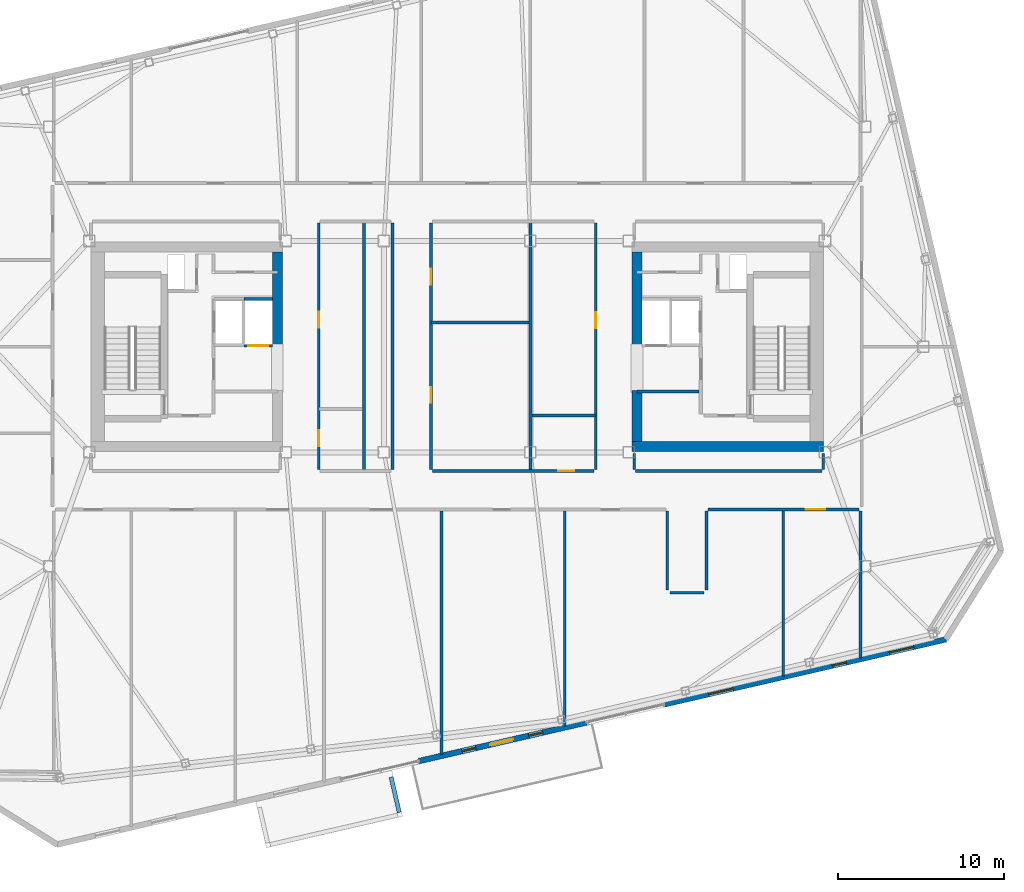
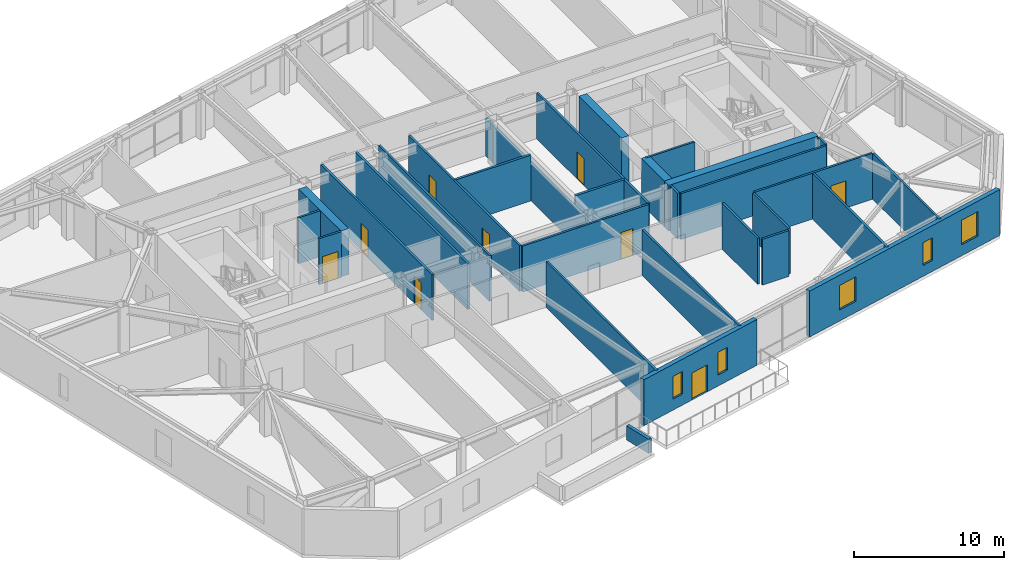
# One storey, part 16 of 23: 30 walls, 9 doors, 5 windows, 14 openings.
"""IFC4 building model written with IfcOpenShell, lengths in metres."""

from ifc_helpers import new_model, si_unit, direction, frame, frame_2d, origin, place, context, subcontext, project, spatial, rectangle, extrude, material, layer, layer_set, type_object, element, fill, save


model = new_model("IFC4")

# Units and contexts
model_context = context("Model", 3, precision=1e-05, world=origin(), true_north=direction((0.0, 1.0)))
body_context = subcontext(model_context, "Body", "Model", "MODEL_VIEW")
ifc_project = project(units=[si_unit("LENGTHUNIT", "METRE"), si_unit("AREAUNIT", "SQUARE_METRE"), si_unit("VOLUMEUNIT", "CUBIC_METRE"), si_unit("PLANEANGLEUNIT", "RADIAN"), si_unit("MASSUNIT", "GRAM", prefix="KILO")], contexts=[model_context])

# Site, building, storey
site_placement = place(None, origin())
site = spatial("IfcSite", under=ifc_project, at=site_placement, CompositionType="ELEMENT")
building_placement = place(site_placement, origin())
building = spatial("IfcBuilding", under=site, at=building_placement, Name="Tavrogorsk Clinical Tower", CompositionType="ELEMENT")
storey_placement = place(building_placement, frame((0.0, 0.0, 289.0)))
storey = spatial("IfcBuildingStorey", under=building, at=storey_placement, Name="L67", CompositionType="ELEMENT", Elevation=289.0)

# Wall
ifc_material_1 = material(Name="Lightweight concrete blockwork B15", Category="masonry")
ifc_layer_1 = layer(ifc_material_1, 0.159912109375)
ifc_layer_set_1 = layer_set([ifc_layer_1], Name="Lightweight concrete blockwork B15")
wall_type_1 = type_object("IfcWallType", Name="PartitionWall_160", PredefinedType="PARTITIONING", material=ifc_layer_set_1)
wall_1_placement = place(storey_placement, frame((10.800048828125, -2.699951171875, 0.0), z_axis=(0.0, 0.0, 1.0), x_axis=(1.0, 0.0, 0.0)))
element("IfcWall", 1, at=wall_1_placement, inside=storey, type_object=wall_type_1, Name="L67 Core East Freed Mid-Bank North Partition", PredefinedType="PARTITIONING", context=body_context, shape_type="SweptSolid", body=[
    extrude(rectangle(XDim=3.73486328125, YDim=0.159912109375, at=frame_2d((1.867431640625, 0.0))), origin(), (0.0, 0.0, 1.0), 3.739990234375),
])

# Wall, opening, door
wall_2_placement = place(storey_placement, frame((24.14501953125, -9.780029296875, 0.0), z_axis=(0.0, 0.0, 1.0), x_axis=(-1.0, 0.0, 0.0)))
wall_2 = element("IfcWall", 2, at=wall_2_placement, inside=storey, type_object=wall_type_1, Name="L67 Corridor Partition 04", PredefinedType="PARTITIONING", context=body_context, shape_type="SweptSolid", body=[
    extrude(rectangle(XDim=9.080078125, YDim=0.159912109375, at=frame_2d((4.5400390625, 0.0))), origin(), (0.0, 0.0, 1.0), 3.739990234375),
])
opening_1_placement = place(wall_2_placement, frame((2.044189453125, 0.0, 0.0)))
opening_1 = element("IfcOpeningElement", 3, at=opening_1_placement, cuts=wall_2, Name="Opening ID-06", PredefinedType="OPENING", context=body_context, shape_type="SweptSolid", body=[
    extrude(rectangle(XDim=1.14990234375, YDim=2.199951171875, at=frame_2d((0.574951171875, 1.10009765625))), frame((0.0, 0.08984375, 0.0), z_axis=(0.0, -1.0, 0.0), x_axis=(1.0, 0.0, 0.0)), (0.0, 0.0, 1.0), 0.179931640625),
])
ifc_material_2 = material(Name="Antibacterial HPL procedure door on aluminium frame", Category="aluminium")
door_type_1 = type_object("IfcDoorType", Name="LabDoor_ID06_1150", OperationType="NOTDEFINED", PredefinedType="DOOR", material=ifc_material_2)
door_1_placement = place(opening_1_placement, origin())
door_1 = element("IfcDoor", 4, at=door_1_placement, inside=storey, type_object=door_type_1, Name="L67 South Staff Rest & Nourishment Lounge 06 Door", OperationType="SINGLE_SWING_RIGHT", OverallHeight=2.199951171875, OverallWidth=1.14990234375, PredefinedType="DOOR", context=body_context, shape_type="SweptSolid", body=[
    extrude(rectangle(XDim=1.14990234375, YDim=2.199951171875, at=frame_2d((0.574951171875, 1.10009765625))), frame((0.0, 0.02490234375, 0.0), z_axis=(0.0, -1.0, 0.0), x_axis=(1.0, 0.0, 0.0)), (0.0, 0.0, 1.0), 0.050048828125),
])
fill(opening_1, door_1)

# Walls
wall_3_placement = place(storey_placement, frame((14.97998046875, -9.864990234375, 0.0), z_axis=(0.0, 0.0, 1.0), x_axis=(0.0, -1.0, 0.0)))
element("IfcWall", 5, at=wall_3_placement, inside=storey, type_object=wall_type_1, Name="L67 Corridor Partition 05", PredefinedType="PARTITIONING", context=body_context, shape_type="SweptSolid", body=[
    extrude(rectangle(XDim=4.75, YDim=0.159912109375, at=frame_2d((2.375, 0.0))), origin(), (0.0, 0.0, 1.0), 3.739990234375),
])
wall_4_placement = place(storey_placement, frame((14.81494140625, -14.780029296875, 0.0), z_axis=(0.0, 0.0, 1.0), x_axis=(-1.0, 0.0, 0.0)))
element("IfcWall", 6, at=wall_4_placement, inside=storey, type_object=wall_type_1, Name="L67 Corridor Partition 06", PredefinedType="PARTITIONING", context=body_context, shape_type="SweptSolid", body=[
    extrude(rectangle(XDim=2.030029296875, YDim=0.159912109375, at=frame_2d((1.01513671875, 0.0))), origin(), (0.0, 0.0, 1.0), 3.739990234375),
])
wall_5_placement = place(storey_placement, frame((12.6201171875, -14.614990234375, 0.0), z_axis=(0.0, 0.0, 1.0), x_axis=(0.0, 1.0, 0.0)))
element("IfcWall", 7, at=wall_5_placement, inside=storey, type_object=wall_type_1, Name="L67 Corridor Partition 07", PredefinedType="PARTITIONING", context=body_context, shape_type="SweptSolid", body=[
    extrude(rectangle(XDim=4.75, YDim=0.159912109375, at=frame_2d((2.375, 0.0))), origin(), (0.0, 0.0, 1.0), 3.739990234375),
])
wall_6_placement = place(storey_placement, frame((10.6298828125, -6.419921875, 0.0), z_axis=(0.0, 0.0, 1.0), x_axis=(0.0, -1.0, 0.0)))
element("IfcWall", 8, at=wall_6_placement, inside=storey, type_object=wall_type_1, Name="L67 Corridor Partition 11", PredefinedType="PARTITIONING", context=body_context, shape_type="SweptSolid", body=[
    extrude(rectangle(XDim=0.965087890625, YDim=0.159912109375, at=frame_2d((0.482421875, 0.0))), origin(), (0.0, 0.0, 1.0), 3.739990234375),
])
wall_7_placement = place(storey_placement, frame((10.715087890625, -7.469970703125, 0.0), z_axis=(0.0, 0.0, 1.0), x_axis=(1.0, 0.0, 0.0)))
element("IfcWall", 9, at=wall_7_placement, inside=storey, type_object=wall_type_1, Name="L67 Corridor Partition 12", PredefinedType="PARTITIONING", context=body_context, shape_type="SweptSolid", body=[
    extrude(rectangle(XDim=11.199951171875, YDim=0.159912109375, at=frame_2d((5.60009765625, 0.0))), origin(), (0.0, 0.0, 1.0), 3.739990234375),
])
wall_8_placement = place(storey_placement, frame((22.0, -7.385009765625, 0.0), z_axis=(0.0, 0.0, 1.0), x_axis=(0.0, 1.0, 0.0)))
element("IfcWall", 10, at=wall_8_placement, inside=storey, type_object=wall_type_1, Name="L67 Corridor Partition 13", PredefinedType="PARTITIONING", context=body_context, shape_type="SweptSolid", body=[
    extrude(rectangle(XDim=0.965087890625, YDim=0.159912109375, at=frame_2d((0.482421875, 0.0))), origin(), (0.0, 0.0, 1.0), 3.739990234375),
])

# Wall, openings, doors
wall_9_placement = place(storey_placement, frame((-1.570068359375, 7.43505859375, 0.0), z_axis=(0.0, 0.0, 1.0), x_axis=(0.0, -1.0, 0.0)))
wall_9 = element("IfcWall", 11, at=wall_9_placement, inside=storey, type_object=wall_type_1, Name="L67 Corridor Partition 16", PredefinedType="PARTITIONING", context=body_context, shape_type="SweptSolid", body=[
    extrude(rectangle(XDim=14.820068359375, YDim=0.159912109375, at=frame_2d((7.41015625, 0.0))), origin(), (0.0, 0.0, 1.0), 3.739990234375),
])
opening_2_placement = place(wall_9_placement, frame((9.86083984375, 0.0, 0.0)))
opening_2 = element("IfcOpeningElement", 12, at=opening_2_placement, cuts=wall_9, Name="Opening ID-02", PredefinedType="OPENING", context=body_context, shape_type="SweptSolid", body=[
    extrude(rectangle(XDim=0.949951171875, YDim=2.199951171875, at=frame_2d((0.47509765625, 1.10009765625))), frame((0.0, 0.08984375, 0.0), z_axis=(0.0, -1.0, 0.0), x_axis=(1.0, 0.0, 0.0)), (0.0, 0.0, 1.0), 0.179931640625),
])
opening_3_placement = place(wall_9_placement, frame((2.754150390625, 0.0, 0.0)))
opening_3 = element("IfcOpeningElement", 13, at=opening_3_placement, cuts=wall_9, Name="Opening ID-02", PredefinedType="OPENING", context=body_context, shape_type="SweptSolid", body=[
    extrude(rectangle(XDim=0.949951171875, YDim=2.199951171875, at=frame_2d((0.47509765625, 1.10009765625))), frame((0.0, 0.08984375, 0.0), z_axis=(0.0, -1.0, 0.0), x_axis=(1.0, 0.0, 0.0)), (0.0, 0.0, 1.0), 0.179931640625),
])
ifc_material_3 = material(Name="Laminated timber leaf on aluminium frame", Category="wood")
door_type_2 = type_object("IfcDoorType", Name="InteriorDoor_ID02_950", OperationType="NOTDEFINED", PredefinedType="DOOR", material=ifc_material_3)
door_2_placement = place(opening_2_placement, origin())
door_2 = element("IfcDoor", 14, at=door_2_placement, inside=storey, type_object=door_type_2, Name="L67 Multidisciplinary Conference Room Door", OperationType="SINGLE_SWING_LEFT", OverallHeight=2.199951171875, OverallWidth=0.949951171875, PredefinedType="DOOR", context=body_context, shape_type="SweptSolid", body=[
    extrude(rectangle(XDim=0.949951171875, YDim=2.199951171875, at=frame_2d((0.47509765625, 1.10009765625))), frame((0.0, 0.02490234375, 0.0), z_axis=(0.0, -1.0, 0.0), x_axis=(1.0, 0.0, 0.0)), (0.0, 0.0, 1.0), 0.050048828125),
])
fill(opening_2, door_2)
door_3_placement = place(opening_3_placement, origin())
door_3 = element("IfcDoor", 15, at=door_3_placement, inside=storey, type_object=door_type_2, Name="L67 Nurses' Station & Triage Hub Door", OperationType="SINGLE_SWING_RIGHT", OverallHeight=2.199951171875, OverallWidth=0.949951171875, PredefinedType="DOOR", context=body_context, shape_type="SweptSolid", body=[
    extrude(rectangle(XDim=0.949951171875, YDim=2.199951171875, at=frame_2d((0.47509765625, 1.10009765625))), frame((0.0, 0.02490234375, 0.0), z_axis=(0.0, -1.0, 0.0), x_axis=(1.0, 0.0, 0.0)), (0.0, 0.0, 1.0), 0.050048828125),
])
fill(opening_3, door_3)

# Wall, opening, door
wall_10_placement = place(storey_placement, frame((-1.485107421875, -7.469970703125, 0.0), z_axis=(0.0, 0.0, 1.0), x_axis=(1.0, 0.0, 0.0)))
wall_10 = element("IfcWall", 16, at=wall_10_placement, inside=storey, type_object=wall_type_1, Name="L67 Corridor Partition 17", PredefinedType="PARTITIONING", context=body_context, shape_type="SweptSolid", body=[
    extrude(rectangle(XDim=9.72021484375, YDim=0.159912109375, at=frame_2d((4.860107421875, 0.0))), origin(), (0.0, 0.0, 1.0), 3.739990234375),
])
opening_4_placement = place(wall_10_placement, frame((7.560791015625, 0.0, 0.0)))
opening_4 = element("IfcOpeningElement", 17, at=opening_4_placement, cuts=wall_10, Name="Opening ID-02", PredefinedType="OPENING", context=body_context, shape_type="SweptSolid", body=[
    extrude(rectangle(XDim=0.949951171875, YDim=2.199951171875, at=frame_2d((0.47509765625, 1.10009765625))), frame((0.0, 0.08984375, 0.0), z_axis=(0.0, -1.0, 0.0), x_axis=(1.0, 0.0, 0.0)), (0.0, 0.0, 1.0), 0.179931640625),
])
door_4_placement = place(opening_4_placement, origin())
door_4 = element("IfcDoor", 18, at=door_4_placement, inside=storey, type_object=door_type_2, Name="L67 Staff & Visitor Accessible WC Door", OperationType="SINGLE_SWING_LEFT", OverallHeight=2.199951171875, OverallWidth=0.949951171875, PredefinedType="DOOR", context=body_context, shape_type="SweptSolid", body=[
    extrude(rectangle(XDim=0.949951171875, YDim=2.199951171875, at=frame_2d((0.47509765625, 1.10009765625))), frame((0.0, 0.02490234375, 0.0), z_axis=(0.0, -1.0, 0.0), x_axis=(1.0, 0.0, 0.0)), (0.0, 0.0, 1.0), 0.050048828125),
])
fill(opening_4, door_4)

wall_11_placement = place(storey_placement, frame((8.320068359375, -7.385009765625, 0.0), z_axis=(0.0, 0.0, 1.0), x_axis=(0.0, 1.0, 0.0)))
wall_11 = element("IfcWall", 19, at=wall_11_placement, inside=storey, type_object=wall_type_1, Name="L67 Corridor Partition 18", PredefinedType="PARTITIONING", context=body_context, shape_type="SweptSolid", body=[
    extrude(rectangle(XDim=14.820068359375, YDim=0.159912109375, at=frame_2d((7.41015625, 0.0))), origin(), (0.0, 0.0, 1.0), 3.739990234375),
])
opening_5_placement = place(wall_11_placement, frame((8.48583984375, 0.0, 0.0)))
opening_5 = element("IfcOpeningElement", 20, at=opening_5_placement, cuts=wall_11, Name="Opening ID-02", PredefinedType="OPENING", context=body_context, shape_type="SweptSolid", body=[
    extrude(rectangle(XDim=0.949951171875, YDim=2.199951171875, at=frame_2d((0.47509765625, 1.10009765625))), frame((0.0, 0.08984375, 0.0), z_axis=(0.0, -1.0, 0.0), x_axis=(1.0, 0.0, 0.0)), (0.0, 0.0, 1.0), 0.179931640625),
])
door_5_placement = place(opening_5_placement, origin())
door_5 = element("IfcDoor", 21, at=door_5_placement, inside=storey, type_object=door_type_2, Name="L67 Attending Physician Office Door", OperationType="SINGLE_SWING_RIGHT", OverallHeight=2.199951171875, OverallWidth=0.949951171875, PredefinedType="DOOR", context=body_context, shape_type="SweptSolid", body=[
    extrude(rectangle(XDim=0.949951171875, YDim=2.199951171875, at=frame_2d((0.47509765625, 1.10009765625))), frame((0.0, 0.02490234375, 0.0), z_axis=(0.0, -1.0, 0.0), x_axis=(1.0, 0.0, 0.0)), (0.0, 0.0, 1.0), 0.050048828125),
])
fill(opening_5, door_5)

# Wall
wall_12_placement = place(storey_placement, frame((-3.8798828125, -7.385009765625, 0.0), z_axis=(0.0, 0.0, 1.0), x_axis=(0.0, 1.0, 0.0)))
element("IfcWall", 22, at=wall_12_placement, inside=storey, type_object=wall_type_1, Name="L67 Corridor Partition 19", PredefinedType="PARTITIONING", context=body_context, shape_type="SweptSolid", body=[
    extrude(rectangle(XDim=14.820068359375, YDim=0.159912109375, at=frame_2d((7.41015625, 0.0))), origin(), (0.0, 0.0, 1.0), 3.739990234375),
])

# Wall, openings, doors
wall_13_placement = place(storey_placement, frame((-8.320068359375, 7.43505859375, 0.0), z_axis=(0.0, 0.0, 1.0), x_axis=(0.0, -1.0, 0.0)))
wall_13 = element("IfcWall", 23, at=wall_13_placement, inside=storey, type_object=wall_type_1, Name="L67 Corridor Partition 21", PredefinedType="PARTITIONING", context=body_context, shape_type="SweptSolid", body=[
    extrude(rectangle(XDim=14.820068359375, YDim=0.159912109375, at=frame_2d((7.41015625, 0.0))), origin(), (0.0, 0.0, 1.0), 3.739990234375),
])
opening_6_placement = place(wall_13_placement, frame((12.4609375, 0.0, 0.0)))
opening_6 = element("IfcOpeningElement", 24, at=opening_6_placement, cuts=wall_13, Name="Opening ID-02", PredefinedType="OPENING", context=body_context, shape_type="SweptSolid", body=[
    extrude(rectangle(XDim=0.949951171875, YDim=2.199951171875, at=frame_2d((0.47509765625, 1.10009765625))), frame((0.0, 0.08984375, 0.0), z_axis=(0.0, -1.0, 0.0), x_axis=(1.0, 0.0, 0.0)), (0.0, 0.0, 1.0), 0.179931640625),
])
opening_7_placement = place(wall_13_placement, frame((5.35400390625, 0.0, 0.0)))
opening_7 = element("IfcOpeningElement", 25, at=opening_7_placement, cuts=wall_13, Name="Opening ID-02", PredefinedType="OPENING", context=body_context, shape_type="SweptSolid", body=[
    extrude(rectangle(XDim=0.949951171875, YDim=2.199951171875, at=frame_2d((0.47509765625, 1.10009765625))), frame((0.0, 0.08984375, 0.0), z_axis=(0.0, -1.0, 0.0), x_axis=(1.0, 0.0, 0.0)), (0.0, 0.0, 1.0), 0.179931640625),
])
door_6_placement = place(opening_6_placement, origin())
door_6 = element("IfcDoor", 26, at=door_6_placement, inside=storey, type_object=door_type_2, Name="L67 Accessible Patient Lavatory Door", OperationType="SINGLE_SWING_LEFT", OverallHeight=2.199951171875, OverallWidth=0.949951171875, PredefinedType="DOOR", context=body_context, shape_type="SweptSolid", body=[
    extrude(rectangle(XDim=0.949951171875, YDim=2.199951171875, at=frame_2d((0.47509765625, 1.10009765625))), frame((0.0, 0.02490234375, 0.0), z_axis=(0.0, -1.0, 0.0), x_axis=(1.0, 0.0, 0.0)), (0.0, 0.0, 1.0), 0.050048828125),
])
fill(opening_6, door_6)
door_7_placement = place(opening_7_placement, origin())
door_7 = element("IfcDoor", 27, at=door_7_placement, inside=storey, type_object=door_type_2, Name="L67 Ward Nourishment Pantry Door", OperationType="SINGLE_SWING_RIGHT", OverallHeight=2.199951171875, OverallWidth=0.949951171875, PredefinedType="DOOR", context=body_context, shape_type="SweptSolid", body=[
    extrude(rectangle(XDim=0.949951171875, YDim=2.199951171875, at=frame_2d((0.47509765625, 1.10009765625))), frame((0.0, 0.02490234375, 0.0), z_axis=(0.0, -1.0, 0.0), x_axis=(1.0, 0.0, 0.0)), (0.0, 0.0, 1.0), 0.050048828125),
])
fill(opening_7, door_7)

# Walls
wall_14_placement = place(storey_placement, frame((24.22998046875, -18.702880859375, 0.0), z_axis=(0.0, 0.0, 1.0), x_axis=(0.0, 1.0, 0.0)))
element("IfcWall", 28, at=wall_14_placement, inside=storey, type_object=wall_type_1, Name="L67 SE Wing Closure Partition", PredefinedType="PARTITIONING", context=body_context, shape_type="SweptSolid", body=[
    extrude(rectangle(XDim=8.837890625, YDim=0.159912109375, at=frame_2d((4.4189453125, 0.0))), origin(), (0.0, 0.0, 1.0), 3.739990234375),
])
wall_15_placement = place(storey_placement, frame((-0.93994140625, -24.513671875, 0.0), z_axis=(0.0, 0.0, 1.0), x_axis=(0.0, 1.0, 0.0)))
element("IfcWall", 29, at=wall_15_placement, inside=storey, type_object=wall_type_1, Name="L67 South Room Partition 3", PredefinedType="PARTITIONING", context=body_context, shape_type="SweptSolid", body=[
    extrude(rectangle(XDim=14.648681640625, YDim=0.159912109375, at=frame_2d((7.32421875, 0.0))), origin(), (0.0, 0.0, 1.0), 3.739990234375),
])
wall_16_placement = place(storey_placement, frame((6.4599609375, -22.805419921875, 0.0), z_axis=(0.0, 0.0, 1.0), x_axis=(0.0, 1.0, 0.0)))
element("IfcWall", 30, at=wall_16_placement, inside=storey, type_object=wall_type_1, Name="L67 South Room Partition 4", PredefinedType="PARTITIONING", context=body_context, shape_type="SweptSolid", body=[
    extrude(rectangle(XDim=12.9404296875, YDim=0.159912109375, at=frame_2d((6.47021484375, 0.0))), origin(), (0.0, 0.0, 1.0), 3.739990234375),
])
wall_17_placement = place(storey_placement, frame((19.580078125, -19.7763671875, 0.0), z_axis=(0.0, 0.0, 1.0), x_axis=(0.0, 1.0, 0.0)))
element("IfcWall", 31, at=wall_17_placement, inside=storey, type_object=wall_type_1, Name="L67 South Room Partition 5", PredefinedType="PARTITIONING", context=body_context, shape_type="SweptSolid", body=[
    extrude(rectangle(XDim=9.911376953125, YDim=0.159912109375, at=frame_2d((4.95556640625, 0.0))), origin(), (0.0, 0.0, 1.0), 3.739990234375),
])
ifc_material_4 = material(Name="Lightweight concrete blockwork B20", Category="masonry")
ifc_layer_2 = layer(ifc_material_4, 0.179931640625)
ifc_layer_set_2 = layer_set([ifc_layer_2], Name="Lightweight concrete blockwork B20")
wall_type_2 = type_object("IfcWallType", Name="PartitionWall_180", PredefinedType="PARTITIONING", material=ifc_layer_set_2)
wall_18_placement = place(storey_placement, frame((-5.60009765625, -7.465087890625, 0.0), z_axis=(0.0, 0.0, 1.0), x_axis=(0.0, 1.0, 0.0)))
element("IfcWall", 32, at=wall_18_placement, inside=storey, type_object=wall_type_2, Name="L67 Central Spine Partition 1", PredefinedType="PARTITIONING", context=body_context, shape_type="SweptSolid", body=[
    extrude(rectangle(XDim=14.97998046875, YDim=0.179931640625, at=frame_2d((7.489990234375, 0.0))), origin(), (0.0, 0.0, 1.0), 3.739990234375),
])
wall_19_placement = place(storey_placement, frame((4.39990234375, -7.465087890625, 0.0), z_axis=(0.0, 0.0, 1.0), x_axis=(0.0, 1.0, 0.0)))
element("IfcWall", 33, at=wall_19_placement, inside=storey, type_object=wall_type_2, Name="L67 Central Spine Partition 2", PredefinedType="PARTITIONING", context=body_context, shape_type="SweptSolid", body=[
    extrude(rectangle(XDim=14.97998046875, YDim=0.179931640625, at=frame_2d((7.489990234375, 0.0))), origin(), (0.0, 0.0, 1.0), 3.034912109375),
])
wall_20_placement = place(storey_placement, frame((-1.56494140625, 1.449951171875, 0.0), z_axis=(0.0, 0.0, 1.0), x_axis=(1.0, 0.0, 0.0)))
element("IfcWall", 34, at=wall_20_placement, inside=storey, type_object=wall_type_2, Name="L67 Central Spine Partition 3", PredefinedType="PARTITIONING", context=body_context, shape_type="SweptSolid", body=[
    extrude(rectangle(XDim=5.869873046875, YDim=0.179931640625, at=frame_2d((2.93505859375, 0.0))), origin(), (0.0, 0.0, 1.0), 3.739990234375),
])
wall_21_placement = place(storey_placement, frame((4.4951171875, -4.14990234375, 0.0), z_axis=(0.0, 0.0, 1.0), x_axis=(1.0, 0.0, 0.0)))
element("IfcWall", 35, at=wall_21_placement, inside=storey, type_object=wall_type_2, Name="L67 Central Spine Partition 5", PredefinedType="PARTITIONING", context=body_context, shape_type="SweptSolid", body=[
    extrude(rectangle(XDim=3.81982421875, YDim=0.179931640625, at=frame_2d((1.909912109375, 0.0))), origin(), (0.0, 0.0, 1.0), 3.739990234375),
])

# Wall, openings, windows, door
ifc_material_5 = material(Name="Precast concrete B45 with limestone cladding", Category="masonry")
ifc_layer_3 = layer(ifc_material_5, 0.340087890625)
ifc_layer_set_3 = layer_set([ifc_layer_3], Name="Precast concrete B45 with limestone cladding")
wall_type_3 = type_object("IfcWallType", Name="PrecastLimestoneWall_340", PredefinedType="STANDARD", material=ifc_layer_set_3)
wall_22_placement = place(storey_placement, frame((-2.294921875, -24.8984375, 0.0), z_axis=(0.0, 0.0, 1.0), x_axis=(0.974370872906, 0.224947553958, 0.0)))
wall_22 = element("IfcWall", 36, at=wall_22_placement, inside=storey, type_object=wall_type_3, Name="L67 S Limestone Facade Wall 2", PredefinedType="STANDARD", context=body_context, shape_type="SweptSolid", body=[
    extrude(rectangle(XDim=10.327880859375, YDim=0.340087890625, at=frame_2d((5.1640625, 0.0))), origin(), (0.0, 0.0, 1.0), 3.739990234375),
])
opening_8_placement = place(wall_22_placement, frame((4.393798828125, 0.0, 0.0)))
opening_8 = element("IfcOpeningElement", 37, at=opening_8_placement, cuts=wall_22, Name="Opening ED-03", PredefinedType="OPENING", context=body_context, shape_type="SweptSolid", body=[
    extrude(rectangle(XDim=1.39990234375, YDim=2.199951171875, at=frame_2d((0.699951171875, 1.10009765625))), frame((0.0, 0.179931640625, 0.0), z_axis=(0.0, -1.0, 0.0), x_axis=(1.0, 0.0, 0.0)), (0.0, 0.0, 1.0), 0.360107421875),
])
opening_9_placement = place(wall_22_placement, frame((2.65478515625, 0.0, 0.89990234375)))
opening_9 = element("IfcOpeningElement", 38, at=opening_9_placement, cuts=wall_22, Name="Opening WN-06", PredefinedType="OPENING", context=body_context, shape_type="SweptSolid", body=[
    extrude(rectangle(XDim=0.85009765625, YDim=1.85009765625, at=frame_2d((0.425048828125, 0.925048828125))), frame((0.0, 0.179931640625, 0.0), z_axis=(0.0, -1.0, 0.0), x_axis=(1.0, 0.0, 0.0)), (0.0, 0.0, 1.0), 0.360107421875),
])
opening_10_placement = place(wall_22_placement, frame((6.7744140625, 0.0, 0.89990234375)))
opening_10 = element("IfcOpeningElement", 39, at=opening_10_placement, cuts=wall_22, Name="Opening WN-06", PredefinedType="OPENING", context=body_context, shape_type="SweptSolid", body=[
    extrude(rectangle(XDim=0.85009765625, YDim=1.85009765625, at=frame_2d((0.425048828125, 0.925048828125))), frame((0.0, 0.179931640625, 0.0), z_axis=(0.0, -1.0, 0.0), x_axis=(1.0, 0.0, 0.0)), (0.0, 0.0, 1.0), 0.360107421875),
])
ifc_material_6 = material(Name="Thermally broken aluminium frame and triple IGU", Category="aluminium")
window_type_1 = type_object("IfcWindowType", Name="MullionSubWin_850x1850", PartitioningType="SINGLE_PANEL", PredefinedType="WINDOW", material=ifc_material_6)
window_1_placement = place(opening_9_placement, origin())
window_1 = element("IfcWindow", 40, at=window_1_placement, inside=storey, type_object=window_type_1, Name="L67 S Mullion Split Window 05A", OverallHeight=1.85009765625, OverallWidth=0.85009765625, PartitioningType="SINGLE_PANEL", PredefinedType="WINDOW", context=body_context, shape_type="SweptSolid", body=[
    extrude(rectangle(XDim=0.85009765625, YDim=1.85009765625, at=frame_2d((0.425048828125, 0.925048828125))), frame((0.0, 0.030029296875, 0.0), z_axis=(0.0, -1.0, 0.0), x_axis=(1.0, 0.0, 0.0)), (0.0, 0.0, 1.0), 0.06005859375),
])
fill(opening_9, window_1)
window_2_placement = place(opening_10_placement, origin())
window_2 = element("IfcWindow", 41, at=window_2_placement, inside=storey, type_object=window_type_1, Name="L67 S Mullion Split Window 06B", OverallHeight=1.85009765625, OverallWidth=0.85009765625, PartitioningType="SINGLE_PANEL", PredefinedType="WINDOW", context=body_context, shape_type="SweptSolid", body=[
    extrude(rectangle(XDim=0.85009765625, YDim=1.85009765625, at=frame_2d((0.425048828125, 0.925048828125))), frame((0.0, 0.030029296875, 0.0), z_axis=(0.0, -1.0, 0.0), x_axis=(1.0, 0.0, 0.0)), (0.0, 0.0, 1.0), 0.06005859375),
])
fill(opening_10, window_2)
ifc_material_7 = material(Name="Thermally broken aluminium and laminated safety glass", Category="aluminium")
door_type_3 = type_object("IfcDoorType", Name="TerraceGlassDoor_ED03_1400", OperationType="DOUBLE_SWING_LEFT", PredefinedType="DOOR", material=ifc_material_7)
door_8_placement = place(opening_8_placement, origin())
door_8 = element("IfcDoor", 42, at=door_8_placement, inside=storey, type_object=door_type_3, Name="L67 Spiralling Recuperation Terrace Door ED-03", OperationType="DOUBLE_SWING_LEFT", OverallHeight=2.199951171875, OverallWidth=1.39990234375, PredefinedType="DOOR", context=body_context, shape_type="SweptSolid", body=[
    extrude(rectangle(XDim=1.39990234375, YDim=2.199951171875, at=frame_2d((0.699951171875, 1.10009765625))), frame((0.0, 0.02490234375, 0.0), z_axis=(0.0, -1.0, 0.0), x_axis=(1.0, 0.0, 0.0)), (0.0, 0.0, 1.0), 0.050048828125),
])
fill(opening_8, door_8)

# Wall, openings, windows
wall_23_placement = place(storey_placement, frame((12.4453125, -21.495361328125, 0.0), z_axis=(0.0, 0.0, 1.0), x_axis=(0.974369392164, 0.224953967767, 0.0)))
wall_23 = element("IfcWall", 43, at=wall_23_placement, inside=storey, type_object=wall_type_3, Name="L67 S Limestone Facade Wall 3", PredefinedType="STANDARD", context=body_context, shape_type="SweptSolid", body=[
    extrude(rectangle(XDim=17.36572265625, YDim=0.340087890625, at=frame_2d((8.682861328125, 0.0))), origin(), (0.0, 0.0, 1.0), 3.739990234375),
])
opening_11_placement = place(wall_23_placement, frame((2.728515625, 0.0, 0.89990234375)))
opening_11 = element("IfcOpeningElement", 44, at=opening_11_placement, cuts=wall_23, Name="Opening WN-05", PredefinedType="OPENING", context=body_context, shape_type="SweptSolid", body=[
    extrude(rectangle(XDim=1.5, YDim=2.0, at=frame_2d((0.75, 1.0))), frame((0.0, 0.179931640625, 0.0), z_axis=(0.0, -1.0, 0.0), x_axis=(1.0, 0.0, 0.0)), (0.0, 0.0, 1.0), 0.360107421875),
])
opening_12_placement = place(wall_23_placement, frame((10.36279296875, 0.0, 0.89990234375)))
opening_12 = element("IfcOpeningElement", 45, at=opening_12_placement, cuts=wall_23, Name="Opening WN-06", PredefinedType="OPENING", context=body_context, shape_type="SweptSolid", body=[
    extrude(rectangle(XDim=0.85009765625, YDim=1.85009765625, at=frame_2d((0.425048828125, 0.925048828125))), frame((0.0, 0.179931640625, 0.0), z_axis=(0.0, -1.0, 0.0), x_axis=(1.0, 0.0, 0.0)), (0.0, 0.0, 1.0), 0.360107421875),
])
opening_13_placement = place(wall_23_placement, frame((13.87451171875, 0.0, 0.89990234375)))
opening_13 = element("IfcOpeningElement", 46, at=opening_13_placement, cuts=wall_23, Name="Opening WN-05", PredefinedType="OPENING", context=body_context, shape_type="SweptSolid", body=[
    extrude(rectangle(XDim=1.5, YDim=2.0, at=frame_2d((0.75, 1.0))), frame((0.0, 0.179931640625, 0.0), z_axis=(0.0, -1.0, 0.0), x_axis=(1.0, 0.0, 0.0)), (0.0, 0.0, 1.0), 0.360107421875),
])
ifc_material_8 = material(Name="Thermally broken aluminium frame and triple IGU", Category="aluminium")
window_type_2 = type_object("IfcWindowType", Name="ConsultWin_1500x2000", PartitioningType="SINGLE_PANEL", PredefinedType="WINDOW", material=ifc_material_8)
window_3_placement = place(opening_11_placement, origin())
window_3 = element("IfcWindow", 47, at=window_3_placement, inside=storey, type_object=window_type_2, Name="L67 S Chicago Window 07", OverallHeight=2.0, OverallWidth=1.5, PartitioningType="SINGLE_PANEL", PredefinedType="WINDOW", context=body_context, shape_type="SweptSolid", body=[
    extrude(rectangle(XDim=1.5, YDim=2.0, at=frame_2d((0.75, 1.0))), frame((0.0, 0.030029296875, 0.0), z_axis=(0.0, -1.0, 0.0), x_axis=(1.0, 0.0, 0.0)), (0.0, 0.0, 1.0), 0.06005859375),
])
fill(opening_11, window_3)
window_4_placement = place(opening_13_placement, origin())
window_4 = element("IfcWindow", 48, at=window_4_placement, inside=storey, type_object=window_type_2, Name="L67 S Chicago Window 10", OverallHeight=2.0, OverallWidth=1.5, PartitioningType="SINGLE_PANEL", PredefinedType="WINDOW", context=body_context, shape_type="SweptSolid", body=[
    extrude(rectangle(XDim=1.5, YDim=2.0, at=frame_2d((0.75, 1.0))), frame((0.0, 0.030029296875, 0.0), z_axis=(0.0, -1.0, 0.0), x_axis=(1.0, 0.0, 0.0)), (0.0, 0.0, 1.0), 0.06005859375),
])
fill(opening_13, window_4)
window_5_placement = place(opening_12_placement, origin())
window_5 = element("IfcWindow", 49, at=window_5_placement, inside=storey, type_object=window_type_1, Name="L67 S Mullion Split Window 09A", OverallHeight=1.85009765625, OverallWidth=0.85009765625, PartitioningType="SINGLE_PANEL", PredefinedType="WINDOW", context=body_context, shape_type="SweptSolid", body=[
    extrude(rectangle(XDim=0.85009765625, YDim=1.85009765625, at=frame_2d((0.425048828125, 0.925048828125))), frame((0.0, 0.030029296875, 0.0), z_axis=(0.0, -1.0, 0.0), x_axis=(1.0, 0.0, 0.0)), (0.0, 0.0, 1.0), 0.06005859375),
])
fill(opening_12, window_5)

# Wall
ifc_material_9 = material(Name="Concrete B60", Category="concrete")
ifc_layer_4 = layer(ifc_material_9, 0.25)
ifc_layer_set_4 = layer_set([ifc_layer_4], Name="Concrete B60")
wall_type_4 = type_object("IfcWallType", Name="RoofParapetWall_250", PredefinedType="PARAPET", material=ifc_layer_set_4)
wall_24_placement = place(storey_placement, frame((-3.4775390625, -27.9833984375, 0.0), z_axis=(0.0, 0.0, 1.0), x_axis=(-0.224998554752, 0.974359097232, 0.0)))
element("IfcWall", 50, at=wall_24_placement, inside=storey, type_object=wall_type_4, Name="L67 Day-Room Roof Coping Parapet DRB-09-3", PredefinedType="PARAPET", context=body_context, shape_type="SweptSolid", body=[
    extrude(rectangle(XDim=2.179931640625, YDim=0.25, at=frame_2d((1.08984375, 0.0))), origin(), (0.0, 0.0, 1.0), 1.14990234375),
])

# Wall, opening, door
ifc_material_10 = material(Name="Lightweight concrete blockwork B25", Category="masonry")
ifc_layer_5 = layer(ifc_material_10, 0.159912109375)
ifc_layer_set_5 = layer_set([ifc_layer_5], Name="Lightweight concrete blockwork B25")
wall_type_5 = type_object("IfcWallType", Name="ShaftWall_160", PredefinedType="PARTITIONING", material=ifc_layer_set_5)
wall_25_placement = place(storey_placement, frame((-12.820068359375, 0.06005859375, 0.0), z_axis=(0.0, 0.0, 1.0), x_axis=(1.0, 0.0, 0.0)))
wall_25 = element("IfcWall", 51, at=wall_25_placement, inside=storey, type_object=wall_type_5, Name="L67 LP-H1 High-Zone Lift Portal Wall", PredefinedType="PARTITIONING", context=body_context, shape_type="SweptSolid", body=[
    extrude(rectangle(XDim=1.719970703125, YDim=0.159912109375, at=frame_2d((0.85986328125, 0.0))), origin(), (0.0, 0.0, 1.0), 3.739990234375),
])
opening_14_placement = place(wall_25_placement, frame((0.260009765625, 0.0, 0.0)))
opening_14 = element("IfcOpeningElement", 52, at=opening_14_placement, cuts=wall_25, Name="Opening LD", PredefinedType="OPENING", context=body_context, shape_type="SweptSolid", body=[
    extrude(rectangle(XDim=1.199951171875, YDim=2.199951171875, at=frame_2d((0.60009765625, 1.10009765625))), frame((0.0, 0.08984375, 0.0), z_axis=(0.0, -1.0, 0.0), x_axis=(1.0, 0.0, 0.0)), (0.0, 0.0, 1.0), 0.179931640625),
])
ifc_material_11 = material(Name="Brushed stainless steel AISI 304 sliding doors", Category="steel")
door_type_4 = type_object("IfcDoorType", Name="LiftLandingDoor_LD_1200", OperationType="SLIDING_TO_LEFT", PredefinedType="DOOR", material=ifc_material_11)
door_9_placement = place(opening_14_placement, origin())
door_9 = element("IfcDoor", 53, at=door_9_placement, inside=storey, type_object=door_type_4, Name="L67 LP-H1 Sliding Lift Landing Door", OperationType="SLIDING_TO_LEFT", OverallHeight=2.199951171875, OverallWidth=1.199951171875, PredefinedType="DOOR", context=body_context, shape_type="SweptSolid", body=[
    extrude(rectangle(XDim=1.199951171875, YDim=2.199951171875, at=frame_2d((0.60009765625, 1.10009765625))), frame((0.0, 0.02490234375, 0.0), z_axis=(0.0, -1.0, 0.0), x_axis=(1.0, 0.0, 0.0)), (0.0, 0.0, 1.0), 0.050048828125),
])
fill(opening_14, door_9)

# Walls
wall_26_placement = place(storey_placement, frame((-12.820068359375, 2.860107421875, 0.0), z_axis=(0.0, 0.0, 1.0), x_axis=(1.0, 0.0, 0.0)))
element("IfcWall", 54, at=wall_26_placement, inside=storey, type_object=wall_type_5, Name="L67 LP-H1 High-Zone Lift Rear Wall", PredefinedType="PARTITIONING", context=body_context, shape_type="SweptSolid", body=[
    extrude(rectangle(XDim=1.719970703125, YDim=0.159912109375, at=frame_2d((0.85986328125, 0.0))), origin(), (0.0, 0.0, 1.0), 3.739990234375),
])
ifc_material_12 = material(Name="Concrete B80", Category="concrete")
ifc_layer_6 = layer(ifc_material_12, 0.60009765625)
ifc_layer_set_6 = layer_set([ifc_layer_6], Name="Concrete B80")
wall_type_6 = type_object("IfcWallType", Name="ShearWall_600", PredefinedType="SHEAR", material=ifc_layer_set_6)
wall_27_placement = place(storey_placement, frame((-10.800048828125, 0.050048828125, 0.0), z_axis=(0.0, 0.0, 1.0), x_axis=(0.0, 1.0, 0.0)))
element("IfcWall", 55, at=wall_27_placement, inside=storey, type_object=wall_type_6, Name="L67 Core West Inner North Pier", PredefinedType="SHEAR", context=body_context, shape_type="SweptSolid", body=[
    extrude(rectangle(XDim=5.64990234375, YDim=0.60009765625, at=frame_2d((2.824951171875, 0.0))), origin(), (0.0, 0.0, 1.0), 3.739990234375),
])
wall_28_placement = place(storey_placement, frame((10.5, -6.0, 0.0), z_axis=(0.0, 0.0, 1.0), x_axis=(1.0, 0.0, 0.0)))
element("IfcWall", 56, at=wall_28_placement, inside=storey, type_object=wall_type_6, Name="L67 Core East South Shear Wall", PredefinedType="SHEAR", context=body_context, shape_type="SweptSolid", body=[
    extrude(rectangle(XDim=11.5, YDim=0.60009765625, at=frame_2d((5.75, 0.0))), origin(), (0.0, 0.0, 1.0), 3.739990234375),
])
wall_29_placement = place(storey_placement, frame((10.800048828125, -5.699951171875, 0.0), z_axis=(0.0, 0.0, 1.0), x_axis=(0.0, 1.0, 0.0)))
element("IfcWall", 57, at=wall_29_placement, inside=storey, type_object=wall_type_6, Name="L67 Core East Inner South Pier", PredefinedType="SHEAR", context=body_context, shape_type="SweptSolid", body=[
    extrude(rectangle(XDim=3.050048828125, YDim=0.60009765625, at=frame_2d((1.52490234375, 0.0))), origin(), (0.0, 0.0, 1.0), 3.739990234375),
])
wall_30_placement = place(storey_placement, frame((10.800048828125, 0.050048828125, 0.0), z_axis=(0.0, 0.0, 1.0), x_axis=(0.0, 1.0, 0.0)))
element("IfcWall", 58, at=wall_30_placement, inside=storey, type_object=wall_type_6, Name="L67 Core East Inner North Pier", PredefinedType="SHEAR", context=body_context, shape_type="SweptSolid", body=[
    extrude(rectangle(XDim=5.64990234375, YDim=0.60009765625, at=frame_2d((2.824951171875, 0.0))), origin(), (0.0, 0.0, 1.0), 3.739990234375),
])

save(model, "model.ifc")
